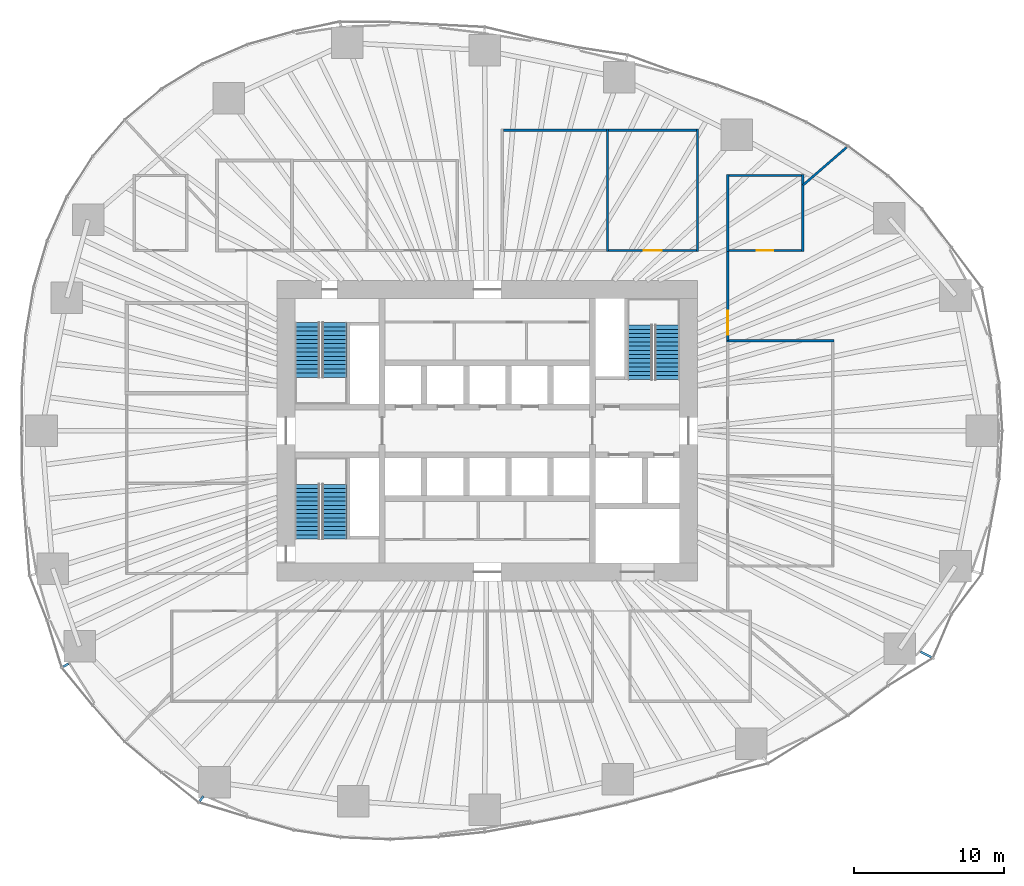
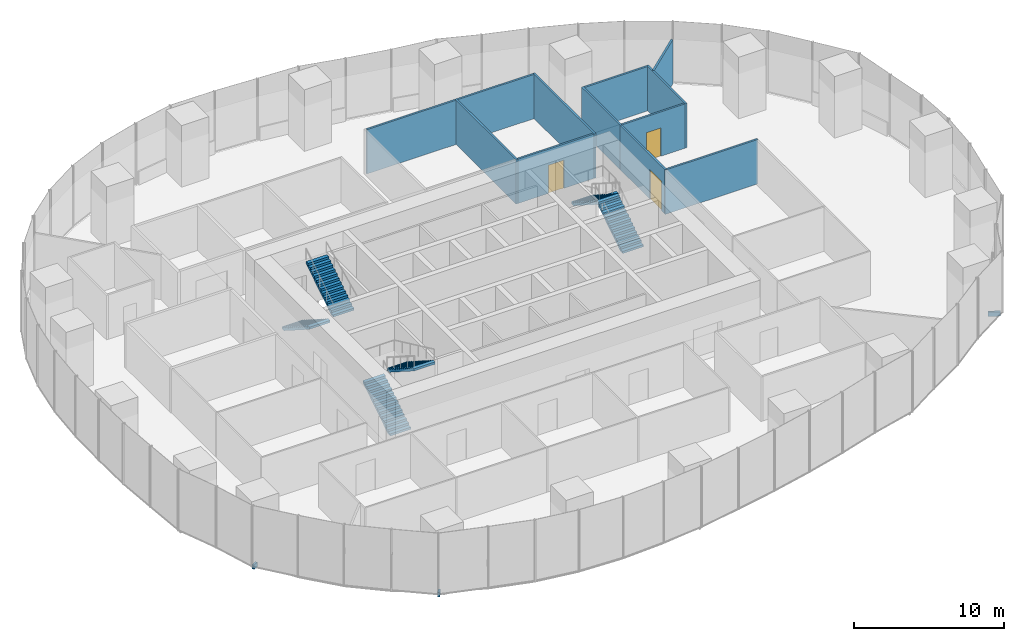
# One storey, part 12 of 20: 12 walls, 6 stair flights, 3 discrete accessories, 3 doors, 3 openings, 3 elements without a shape of their own.
"""IFC4 building model written with IfcOpenShell, lengths in metres."""

from ifc_helpers import new_model, si_unit, direction, frame, frame_2d, origin, origin_2d, place, context, subcontext, project, spatial, polyline, rectangle, outline, extrude, material, layer, layer_set, type_object, element, fill, aggregate, save


model = new_model("IFC4")

# Units and contexts
model_context = context("Model", 3, precision=1e-05, world=origin(), true_north=direction((0.0, 1.0)))
body_context = subcontext(model_context, "Body", "Model", "MODEL_VIEW")
ifc_project = project(units=[si_unit("LENGTHUNIT", "METRE"), si_unit("AREAUNIT", "SQUARE_METRE"), si_unit("VOLUMEUNIT", "CUBIC_METRE"), si_unit("PLANEANGLEUNIT", "RADIAN"), si_unit("MASSUNIT", "GRAM", prefix="KILO")], contexts=[model_context])

# Site, building, storey
site_placement = place(None, origin())
site = spatial("IfcSite", under=ifc_project, at=site_placement, CompositionType="ELEMENT")
building_placement = place(site_placement, origin())
building = spatial("IfcBuilding", under=site, at=building_placement, Name="Ghaith Harvest Tower", CompositionType="ELEMENT")
storey_placement = place(building_placement, frame((0.0, 0.0, 45.0)))
storey = spatial("IfcBuildingStorey", under=building, at=storey_placement, Name="L09", CompositionType="ELEMENT", Elevation=45.0)

# Walls
ifc_material_1 = material(Name="Gypsum board on steel studs", Category="steel")
ifc_layer = layer(ifc_material_1, 0.14990234375)
ifc_layer_set = layer_set([ifc_layer], Name="PARTITION 150")
wall_type = type_object("IfcWallType", Name="PARTITION 150", PredefinedType="PARTITIONING", material=ifc_layer_set)
for number, where, z_axis, x_axis, name in (
    (1, (8.0, 11.925048828125, 0.0), (0.0, 0.0, 1.0), (0.0, 1.0, 0.0), "Partition L09 row N5 cross wall 2"),
    (2, (14.0, 11.925048828125, 0.0), (0.0, 0.0, 1.0), (0.0, 1.0, 0.0), "Partition L09 row N5 cross wall 3"),
):
    element("IfcWall", number, at=place(storey_placement, frame(where, z_axis=z_axis, x_axis=x_axis)), inside=storey, type_object=wall_type, Name=name, PredefinedType="PARTITIONING", context=body_context, shape_type="SweptSolid", body=[
        extrude(rectangle(XDim=8.14990234375, YDim=0.14990234375, at=frame_2d((4.074951171875, 0.0))), origin(), (0.0, 0.0, 1.0), 3.60009765625),
    ])
wall_1_placement = place(storey_placement, frame((1.074951171875, 20.0, 0.0), z_axis=(0.0, 0.0, 1.0), x_axis=(1.0, 0.0, 0.0)))
element("IfcWall", 3, at=wall_1_placement, inside=storey, type_object=wall_type, Name="Partition L09-12", PredefinedType="PARTITIONING", context=body_context, shape_type="SweptSolid", body=[
    extrude(rectangle(XDim=6.85009765625, YDim=0.14990234375, at=frame_2d((3.425048828125, 0.0))), origin(), (0.0, 0.0, 1.0), 3.60009765625),
])

# Wall, opening, door
wall_2_placement = place(storey_placement, frame((8.074951171875, 12.0, 0.0), z_axis=(0.0, 0.0, 1.0), x_axis=(1.0, 0.0, 0.0)))
wall_2 = element("IfcWall", 4, at=wall_2_placement, inside=storey, type_object=wall_type, Name="Partition L09-13", PredefinedType="PARTITIONING", context=body_context, shape_type="SweptSolid", body=[
    extrude(rectangle(XDim=5.85009765625, YDim=0.14990234375, at=frame_2d((2.925048828125, 0.0))), origin(), (0.0, 0.0, 1.0), 3.60009765625),
])
opening_1_placement = place(wall_2_placement, frame((2.324951171875, 0.0, 0.0)))
opening_1 = element("IfcOpeningElement", 5, at=opening_1_placement, cuts=wall_2, Name="Opening 09-036", PredefinedType="OPENING", context=body_context, shape_type="SweptSolid", body=[
    extrude(rectangle(XDim=1.199951171875, YDim=2.300048828125, at=frame_2d((0.60009765625, 1.14990234375))), frame((0.0, 0.0849609375, 0.0), z_axis=(0.0, -1.0, 0.0), x_axis=(1.0, 0.0, 0.0)), (0.0, 0.0, 1.0), 0.169921875),
])
ifc_material_2 = material(Name="Timber door with vision panel", Category="wood")
door_type_1 = type_object("IfcDoorType", Name="D15 LABORATORY 1200x2300", OperationType="SINGLE_SWING_LEFT", PredefinedType="DOOR", material=ifc_material_2)
door_1_placement = place(opening_1_placement, origin())
door_1 = element("IfcDoor", 6, at=door_1_placement, inside=storey, type_object=door_type_1, Name="Quality laboratory door", OperationType="SINGLE_SWING_LEFT", OverallHeight=2.300048828125, OverallWidth=1.199951171875, PredefinedType="DOOR", context=body_context, shape_type="SweptSolid", body=[
    extrude(rectangle(XDim=1.199951171875, YDim=2.300048828125, at=frame_2d((0.60009765625, 1.14990234375))), frame((0.0, 0.02490234375, 0.0), z_axis=(0.0, -1.0, 0.0), x_axis=(1.0, 0.0, 0.0)), (0.0, 0.0, 1.0), 0.050048828125),
])
fill(opening_1, door_1)

# Walls
wall_3_placement = place(storey_placement, frame((8.074951171875, 20.0, 0.0), z_axis=(0.0, 0.0, 1.0), x_axis=(1.0, 0.0, 0.0)))
element("IfcWall", 7, at=wall_3_placement, inside=storey, type_object=wall_type, Name="Partition L09-13", PredefinedType="PARTITIONING", context=body_context, shape_type="SweptSolid", body=[
    extrude(rectangle(XDim=5.85009765625, YDim=0.14990234375, at=frame_2d((2.925048828125, 0.0))), origin(), (0.0, 0.0, 1.0), 3.60009765625),
])
wall_4_placement = place(storey_placement, frame((15.925048828125, 6.0, 0.0), z_axis=(0.0, 0.0, 1.0), x_axis=(1.0, 0.0, 0.0)))
element("IfcWall", 8, at=wall_4_placement, inside=storey, type_object=wall_type, Name="Partition L09 row E6 cross wall 3", PredefinedType="PARTITIONING", context=body_context, shape_type="SweptSolid", body=[
    extrude(rectangle(XDim=7.14990234375, YDim=0.14990234375, at=frame_2d((3.574951171875, 0.0))), origin(), (0.0, 0.0, 1.0), 3.60009765625),
])
for number, where, z_axis, x_axis, name in (
    (9, (16.0, 11.925048828125, 0.0), (0.0, 0.0, 1.0), (0.0, 1.0, 0.0), "Partition L09 row N7 cross wall 1"),
    (10, (21.0, 11.925048828125, 0.0), (0.0, 0.0, 1.0), (0.0, 1.0, 0.0), "Partition L09 row N7 cross wall 2"),
):
    element("IfcWall", number, at=place(storey_placement, frame(where, z_axis=z_axis, x_axis=x_axis)), inside=storey, type_object=wall_type, Name=name, PredefinedType="PARTITIONING", context=body_context, shape_type="SweptSolid", body=[
        extrude(rectangle(XDim=5.14990234375, YDim=0.14990234375, at=frame_2d((2.574951171875, 0.0))), origin(), (0.0, 0.0, 1.0), 3.60009765625),
    ])

# Wall, opening, door
wall_5_placement = place(storey_placement, frame((16.074951171875, 12.0, 0.0), z_axis=(0.0, 0.0, 1.0), x_axis=(1.0, 0.0, 0.0)))
wall_5 = element("IfcWall", 11, at=wall_5_placement, inside=storey, type_object=wall_type, Name="Partition L09-16", PredefinedType="PARTITIONING", context=body_context, shape_type="SweptSolid", body=[
    extrude(rectangle(XDim=4.85009765625, YDim=0.14990234375, at=frame_2d((2.425048828125, 0.0))), origin(), (0.0, 0.0, 1.0), 3.60009765625),
])
opening_2_placement = place(wall_5_placement, frame((1.875, 0.0, 0.0)))
opening_2 = element("IfcOpeningElement", 12, at=opening_2_placement, cuts=wall_5, Name="Opening 09-039", PredefinedType="OPENING", context=body_context, shape_type="SweptSolid", body=[
    extrude(rectangle(XDim=1.10009765625, YDim=2.300048828125, at=frame_2d((0.550048828125, 1.14990234375))), frame((0.0, 0.0849609375, 0.0), z_axis=(0.0, -1.0, 0.0), x_axis=(1.0, 0.0, 0.0)), (0.0, 0.0, 1.0), 0.169921875),
])
ifc_material_3 = material(Name="Timber-framed glazed door", Category="wood")
door_type_2 = type_object("IfcDoorType", Name="D12 GLAZED OFFICE 1100x2300", OperationType="SINGLE_SWING_LEFT", PredefinedType="DOOR", material=ifc_material_3)
door_2_placement = place(opening_2_placement, origin())
door_2 = element("IfcDoor", 13, at=door_2_placement, inside=storey, type_object=door_type_2, Name="Crop office door", OperationType="SINGLE_SWING_LEFT", OverallHeight=2.300048828125, OverallWidth=1.10009765625, PredefinedType="DOOR", context=body_context, shape_type="SweptSolid", body=[
    extrude(rectangle(XDim=1.10009765625, YDim=2.300048828125, at=frame_2d((0.550048828125, 1.14990234375))), frame((0.0, 0.02490234375, 0.0), z_axis=(0.0, -1.0, 0.0), x_axis=(1.0, 0.0, 0.0)), (0.0, 0.0, 1.0), 0.050048828125),
])
fill(opening_2, door_2)

# Walls
wall_6_placement = place(storey_placement, frame((16.074951171875, 17.0, 0.0), z_axis=(0.0, 0.0, 1.0), x_axis=(1.0, 0.0, 0.0)))
element("IfcWall", 14, at=wall_6_placement, inside=storey, type_object=wall_type, Name="Partition L09-16", PredefinedType="PARTITIONING", context=body_context, shape_type="SweptSolid", body=[
    extrude(rectangle(XDim=4.85009765625, YDim=0.14990234375, at=frame_2d((2.425048828125, 0.0))), origin(), (0.0, 0.0, 1.0), 3.60009765625),
])
wall_7_placement = place(storey_placement, frame((21.02001953125, 16.35400390625, 0.0), z_axis=(0.0, 0.0, 1.0), x_axis=(0.755425653008, 0.655234372402, 0.0)))
element("IfcWall", 15, at=wall_7_placement, inside=storey, type_object=wall_type, Name="Partition L09 zone division", PredefinedType="PARTITIONING", context=body_context, shape_type="SweptSolid", body=[
    extrude(rectangle(XDim=3.8232421875, YDim=0.14990234375, at=frame_2d((1.91162109375, 0.0))), origin(), (0.0, 0.0, 1.0), 3.60009765625),
])

# Wall, opening, door
wall_8_placement = place(storey_placement, frame((16.0, 6.0, 0.0), z_axis=(0.0, 0.0, 1.0), x_axis=(0.0, 1.0, 0.0)))
wall_8 = element("IfcWall", 16, at=wall_8_placement, inside=storey, type_object=wall_type, Name="Partition L09 zone enclosure", PredefinedType="PARTITIONING", context=body_context, shape_type="SweptSolid", body=[
    extrude(rectangle(XDim=6.0, YDim=0.14990234375, at=frame_2d((3.0, 0.0))), origin(), (0.0, 0.0, 1.0), 3.60009765625),
])
opening_3_placement = place(wall_8_placement, frame((0.39990234375, 0.0, 0.0)))
opening_3 = element("IfcOpeningElement", 17, at=opening_3_placement, cuts=wall_8, Name="Opening 09-041", PredefinedType="OPENING", context=body_context, shape_type="SweptSolid", body=[
    extrude(rectangle(XDim=1.60009765625, YDim=2.39990234375, at=frame_2d((0.800048828125, 1.199951171875))), frame((0.0, 0.0849609375, 0.0), z_axis=(0.0, -1.0, 0.0), x_axis=(1.0, 0.0, 0.0)), (0.0, 0.0, 1.0), 0.169921875),
])
ifc_material_4 = material(Name="Timber door", Category="wood")
door_type_3 = type_object("IfcDoorType", Name="D2 PAIR 1600x2400", OperationType="DOUBLE_DOOR_SINGLE_SWING", PredefinedType="DOOR", material=ifc_material_4)
door_3_placement = place(opening_3_placement, origin())
door_3 = element("IfcDoor", 18, at=door_3_placement, inside=storey, type_object=door_type_3, Name="Leafy greens growing area east door", OperationType="DOUBLE_DOOR_SINGLE_SWING", OverallHeight=2.39990234375, OverallWidth=1.60009765625, PredefinedType="DOOR", context=body_context, shape_type="SweptSolid", body=[
    extrude(rectangle(XDim=1.60009765625, YDim=2.39990234375, at=frame_2d((0.800048828125, 1.199951171875))), frame((0.0, 0.02490234375, 0.0), z_axis=(0.0, -1.0, 0.0), x_axis=(1.0, 0.0, 0.0)), (0.0, 0.0, 1.0), 0.050048828125),
])
fill(opening_3, door_3)

# Stair, stair flights
ifc_material_5 = material(Name="Concrete C40/50, precast", Category="concrete")
stair_type = type_object("IfcStairType", Name="CORE STAIR 28R", PredefinedType="HALF_TURN_STAIR", material=ifc_material_5)
stair_1_placement = place(storey_placement, origin())
stair_1 = element("IfcStair", 19, at=stair_1_placement, inside=storey, type_object=stair_type, Name="Stair ST1 L09", PredefinedType="HALF_TURN_STAIR")
ifc_material_6 = material(Name="Concrete C40/50, precast", Category="concrete")
stair_flight_type = type_object("IfcStairFlightType", Name="CORE FLIGHT 14R 1600", PredefinedType="STRAIGHT", material=ifc_material_6)
stair_flight_1_placement = place(storey_placement, frame((-12.0, 7.199951171875, 0.0), z_axis=(0.0, 0.0, 1.0), x_axis=(0.0, -1.0, 0.0)))
stair_flight_1 = element("IfcStairFlight", 20, at=stair_flight_1_placement, type_object=stair_flight_type, Name="ST1 flight 1", NumberOfRisers=14, NumberOfTreads=13, PredefinedType="STRAIGHT", RiserHeight=0.178571429, TreadLength=0.28, context=body_context, shape_type="SweptSolid", body=[
    extrude(outline(polyline([(0.0, 0.0), (0.0, 0.178466796875), (0.280029296875, 0.178466796875), (0.280029296875, 0.357177734375), (0.56005859375, 0.357177734375), (0.56005859375, 0.53564453125), (0.840087890625, 0.53564453125), (0.840087890625, 0.71435546875), (1.1201171875, 0.71435546875), (1.1201171875, 0.892822265625), (1.39990234375, 0.892822265625), (1.39990234375, 1.071533203125), (1.679931640625, 1.071533203125), (1.679931640625, 1.25), (1.9599609375, 1.25), (1.9599609375, 1.428466796875), (2.239990234375, 1.428466796875), (2.239990234375, 1.607177734375), (2.52001953125, 1.607177734375), (2.52001953125, 1.78564453125), (2.800048828125, 1.78564453125), (2.800048828125, 1.96435546875), (3.080078125, 1.96435546875), (3.080078125, 2.142822265625), (3.360107421875, 2.142822265625), (3.360107421875, 2.321533203125), (3.639892578125, 2.321533203125), (3.639892578125, 2.5), (3.639892578125, 2.1435546875), (0.27880859375, 0.0), (0.0, 0.0)])), frame((0.0, 0.800048828125, 0.0), z_axis=(0.0, -1.0, 0.0), x_axis=(1.0, 0.0, 0.0)), (0.0, 0.0, 1.0), 1.60009765625),
])
stair_flight_2_placement = place(storey_placement, frame((-10.14990234375, 3.56005859375, 2.5), z_axis=(0.0, 0.0, 1.0), x_axis=(0.0, 1.0, 0.0)))
stair_flight_2 = element("IfcStairFlight", 21, at=stair_flight_2_placement, type_object=stair_flight_type, Name="ST1 flight 2", NumberOfRisers=14, NumberOfTreads=13, PredefinedType="STRAIGHT", RiserHeight=0.178571429, TreadLength=0.28, context=body_context, shape_type="SweptSolid", body=[
    extrude(outline(polyline([(0.0, 0.0), (0.0, 0.178466796875), (0.280029296875, 0.178466796875), (0.280029296875, 0.357177734375), (0.56005859375, 0.357177734375), (0.56005859375, 0.53564453125), (0.840087890625, 0.53564453125), (0.840087890625, 0.71435546875), (1.1201171875, 0.71435546875), (1.1201171875, 0.892822265625), (1.39990234375, 0.892822265625), (1.39990234375, 1.071533203125), (1.679931640625, 1.071533203125), (1.679931640625, 1.25), (1.9599609375, 1.25), (1.9599609375, 1.428466796875), (2.239990234375, 1.428466796875), (2.239990234375, 1.607177734375), (2.52001953125, 1.607177734375), (2.52001953125, 1.78564453125), (2.800048828125, 1.78564453125), (2.800048828125, 1.96435546875), (3.080078125, 1.96435546875), (3.080078125, 2.142822265625), (3.360107421875, 2.142822265625), (3.360107421875, 2.321533203125), (3.639892578125, 2.321533203125), (3.639892578125, 2.5), (3.639892578125, 2.1435546875), (0.27880859375, 0.0), (0.0, 0.0)])), frame((0.0, 0.800048828125, 0.0), z_axis=(0.0, -1.0, 0.0), x_axis=(1.0, 0.0, 0.0)), (0.0, 0.0, 1.0), 1.60009765625),
])
aggregate(stair_1, [stair_flight_1, stair_flight_2])

stair_2_placement = place(storey_placement, origin())
stair_2 = element("IfcStair", 22, at=stair_2_placement, inside=storey, type_object=stair_type, Name="Stair ST3 L09", PredefinedType="HALF_TURN_STAIR")
stair_flight_3_placement = place(storey_placement, frame((-12.0, -7.199951171875, 0.0), z_axis=(0.0, 0.0, 1.0), x_axis=(0.0, 1.0, 0.0)))
stair_flight_3 = element("IfcStairFlight", 23, at=stair_flight_3_placement, type_object=stair_flight_type, Name="ST3 flight 1", NumberOfRisers=14, NumberOfTreads=13, PredefinedType="STRAIGHT", RiserHeight=0.178571429, TreadLength=0.28, context=body_context, shape_type="SweptSolid", body=[
    extrude(outline(polyline([(0.0, 0.0), (0.0, 0.178466796875), (0.280029296875, 0.178466796875), (0.280029296875, 0.357177734375), (0.56005859375, 0.357177734375), (0.56005859375, 0.53564453125), (0.840087890625, 0.53564453125), (0.840087890625, 0.71435546875), (1.1201171875, 0.71435546875), (1.1201171875, 0.892822265625), (1.39990234375, 0.892822265625), (1.39990234375, 1.071533203125), (1.679931640625, 1.071533203125), (1.679931640625, 1.25), (1.9599609375, 1.25), (1.9599609375, 1.428466796875), (2.239990234375, 1.428466796875), (2.239990234375, 1.607177734375), (2.52001953125, 1.607177734375), (2.52001953125, 1.78564453125), (2.800048828125, 1.78564453125), (2.800048828125, 1.96435546875), (3.080078125, 1.96435546875), (3.080078125, 2.142822265625), (3.360107421875, 2.142822265625), (3.360107421875, 2.321533203125), (3.639892578125, 2.321533203125), (3.639892578125, 2.5), (3.639892578125, 2.1435546875), (0.27880859375, 0.0), (0.0, 0.0)])), frame((0.0, 0.800048828125, 0.0), z_axis=(0.0, -1.0, 0.0), x_axis=(1.0, 0.0, 0.0)), (0.0, 0.0, 1.0), 1.60009765625),
])
stair_flight_4_placement = place(storey_placement, frame((-10.14990234375, -3.56005859375, 2.5), z_axis=(0.0, 0.0, 1.0), x_axis=(0.0, -1.0, 0.0)))
stair_flight_4 = element("IfcStairFlight", 24, at=stair_flight_4_placement, type_object=stair_flight_type, Name="ST3 flight 2", NumberOfRisers=14, NumberOfTreads=13, PredefinedType="STRAIGHT", RiserHeight=0.178571429, TreadLength=0.28, context=body_context, shape_type="SweptSolid", body=[
    extrude(outline(polyline([(0.0, 0.0), (0.0, 0.178466796875), (0.280029296875, 0.178466796875), (0.280029296875, 0.357177734375), (0.56005859375, 0.357177734375), (0.56005859375, 0.53564453125), (0.840087890625, 0.53564453125), (0.840087890625, 0.71435546875), (1.1201171875, 0.71435546875), (1.1201171875, 0.892822265625), (1.39990234375, 0.892822265625), (1.39990234375, 1.071533203125), (1.679931640625, 1.071533203125), (1.679931640625, 1.25), (1.9599609375, 1.25), (1.9599609375, 1.428466796875), (2.239990234375, 1.428466796875), (2.239990234375, 1.607177734375), (2.52001953125, 1.607177734375), (2.52001953125, 1.78564453125), (2.800048828125, 1.78564453125), (2.800048828125, 1.96435546875), (3.080078125, 1.96435546875), (3.080078125, 2.142822265625), (3.360107421875, 2.142822265625), (3.360107421875, 2.321533203125), (3.639892578125, 2.321533203125), (3.639892578125, 2.5), (3.639892578125, 2.1435546875), (0.27880859375, 0.0), (0.0, 0.0)])), frame((0.0, 0.800048828125, 0.0), z_axis=(0.0, -1.0, 0.0), x_axis=(1.0, 0.0, 0.0)), (0.0, 0.0, 1.0), 1.60009765625),
])
aggregate(stair_2, [stair_flight_3, stair_flight_4])

stair_3_placement = place(storey_placement, origin())
stair_3 = element("IfcStair", 25, at=stair_3_placement, inside=storey, type_object=stair_type, Name="Stair ST2 L09", PredefinedType="HALF_TURN_STAIR")
stair_flight_5_placement = place(storey_placement, frame((12.0, 3.39990234375, 0.0), z_axis=(0.0, 0.0, 1.0), x_axis=(0.0, 1.0, 0.0)))
stair_flight_5 = element("IfcStairFlight", 26, at=stair_flight_5_placement, type_object=stair_flight_type, Name="ST2 flight 1", NumberOfRisers=14, NumberOfTreads=13, PredefinedType="STRAIGHT", RiserHeight=0.178571429, TreadLength=0.28, context=body_context, shape_type="SweptSolid", body=[
    extrude(outline(polyline([(0.0, 0.0), (0.0, 0.178466796875), (0.280029296875, 0.178466796875), (0.280029296875, 0.357177734375), (0.56005859375, 0.357177734375), (0.56005859375, 0.53564453125), (0.840087890625, 0.53564453125), (0.840087890625, 0.71435546875), (1.1201171875, 0.71435546875), (1.1201171875, 0.892822265625), (1.39990234375, 0.892822265625), (1.39990234375, 1.071533203125), (1.679931640625, 1.071533203125), (1.679931640625, 1.25), (1.9599609375, 1.25), (1.9599609375, 1.428466796875), (2.239990234375, 1.428466796875), (2.239990234375, 1.607177734375), (2.52001953125, 1.607177734375), (2.52001953125, 1.78564453125), (2.800048828125, 1.78564453125), (2.800048828125, 1.96435546875), (3.080078125, 1.96435546875), (3.080078125, 2.142822265625), (3.360107421875, 2.142822265625), (3.360107421875, 2.321533203125), (3.639892578125, 2.321533203125), (3.639892578125, 2.5), (3.639892578125, 2.1435546875), (0.27880859375, 0.0), (0.0, 0.0)])), frame((0.0, 0.800048828125, 0.0), z_axis=(0.0, -1.0, 0.0), x_axis=(1.0, 0.0, 0.0)), (0.0, 0.0, 1.0), 1.60009765625),
])
stair_flight_6_placement = place(storey_placement, frame((10.14990234375, 7.0400390625, 2.5), z_axis=(0.0, 0.0, 1.0), x_axis=(0.0, -1.0, 0.0)))
stair_flight_6 = element("IfcStairFlight", 27, at=stair_flight_6_placement, type_object=stair_flight_type, Name="ST2 flight 2", NumberOfRisers=14, NumberOfTreads=13, PredefinedType="STRAIGHT", RiserHeight=0.178571429, TreadLength=0.28, context=body_context, shape_type="SweptSolid", body=[
    extrude(outline(polyline([(0.0, 0.0), (0.0, 0.178466796875), (0.280029296875, 0.178466796875), (0.280029296875, 0.357177734375), (0.56005859375, 0.357177734375), (0.56005859375, 0.53564453125), (0.840087890625, 0.53564453125), (0.840087890625, 0.71435546875), (1.1201171875, 0.71435546875), (1.1201171875, 0.892822265625), (1.39990234375, 0.892822265625), (1.39990234375, 1.071533203125), (1.679931640625, 1.071533203125), (1.679931640625, 1.25), (1.9599609375, 1.25), (1.9599609375, 1.428466796875), (2.239990234375, 1.428466796875), (2.239990234375, 1.607177734375), (2.52001953125, 1.607177734375), (2.52001953125, 1.78564453125), (2.800048828125, 1.78564453125), (2.800048828125, 1.96435546875), (3.080078125, 1.96435546875), (3.080078125, 2.142822265625), (3.360107421875, 2.142822265625), (3.360107421875, 2.321533203125), (3.639892578125, 2.321533203125), (3.639892578125, 2.5), (3.639892578125, 2.1435546875), (0.27880859375, 0.0), (0.0, 0.0)])), frame((0.0, 0.800048828125, 0.0), z_axis=(0.0, -1.0, 0.0), x_axis=(1.0, 0.0, 0.0)), (0.0, 0.0, 1.0), 1.60009765625),
])
aggregate(stair_3, [stair_flight_5, stair_flight_6])

# Discrete accessories
ifc_material_7 = material(Name="Stainless steel grade 1.4401", Category="steel")
discrete_accessory_type_1 = type_object("IfcDiscreteAccessoryType", Name="CURTAIN WALL BRACKET 415", PredefinedType="BRACKET", material=ifc_material_7)
discrete_accessory_1_placement = place(storey_placement, frame((-28.05859375, -15.60546875, -0.25), z_axis=(0.0, 0.0, 1.0), x_axis=(-0.873926916099, -0.486057347767, 0.0)))
element("IfcDiscreteAccessory", 28, at=discrete_accessory_1_placement, inside=storey, type_object=discrete_accessory_type_1, Name="CW-F bracket 3 bay 12 L09", PredefinedType="BRACKET", context=body_context, shape_type="SweptSolid", body=[
    extrude(rectangle(XDim=0.4150390625, YDim=0.14990234375, at=origin_2d()), origin(), (0.0, 0.0, 1.0), 0.35009765625),
])
ifc_material_8 = material(Name="Stainless steel grade 1.4401", Category="steel")
discrete_accessory_type_2 = type_object("IfcDiscreteAccessoryType", Name="CURTAIN WALL BRACKET 425", PredefinedType="BRACKET", material=ifc_material_8)
discrete_accessory_2_placement = place(storey_placement, frame((-19.02099609375, -24.491455078125, -0.25), z_axis=(0.0, 0.0, 1.0), x_axis=(-0.613377713774, -0.789789706343, 0.0)))
element("IfcDiscreteAccessory", 29, at=discrete_accessory_2_placement, inside=storey, type_object=discrete_accessory_type_2, Name="CW-F bracket 1 bay 14 L09", PredefinedType="BRACKET", context=body_context, shape_type="SweptSolid", body=[
    extrude(rectangle(XDim=0.425048828125, YDim=0.14990234375, at=origin_2d()), origin(), (0.0, 0.0, 1.0), 0.35009765625),
])
ifc_material_9 = material(Name="Stainless steel grade 1.4401", Category="steel")
discrete_accessory_type_3 = type_object("IfcDiscreteAccessoryType", Name="CURTAIN WALL BRACKET 825", PredefinedType="BRACKET", material=ifc_material_9)
discrete_accessory_3_placement = place(storey_placement, frame((29.203125, -14.89404296875, -0.25), z_axis=(0.0, 0.0, 1.0), x_axis=(0.890830752177, -0.454335306767, 0.0)))
element("IfcDiscreteAccessory", 30, at=discrete_accessory_3_placement, inside=storey, type_object=discrete_accessory_type_3, Name="CW-F bracket 2 bay 19 L09", PredefinedType="BRACKET", context=body_context, shape_type="SweptSolid", body=[
    extrude(rectangle(XDim=0.824951171875, YDim=0.14990234375, at=origin_2d()), origin(), (0.0, 0.0, 1.0), 0.35009765625),
])

save(model, "model.ifc")
